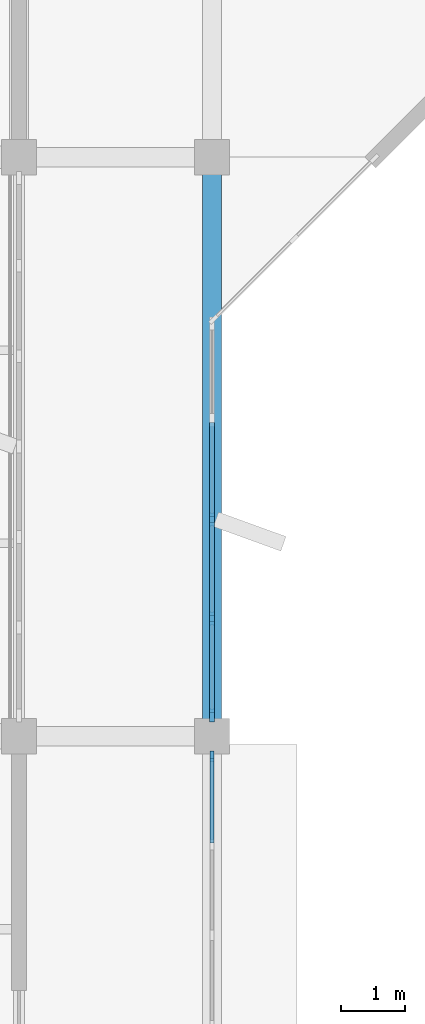
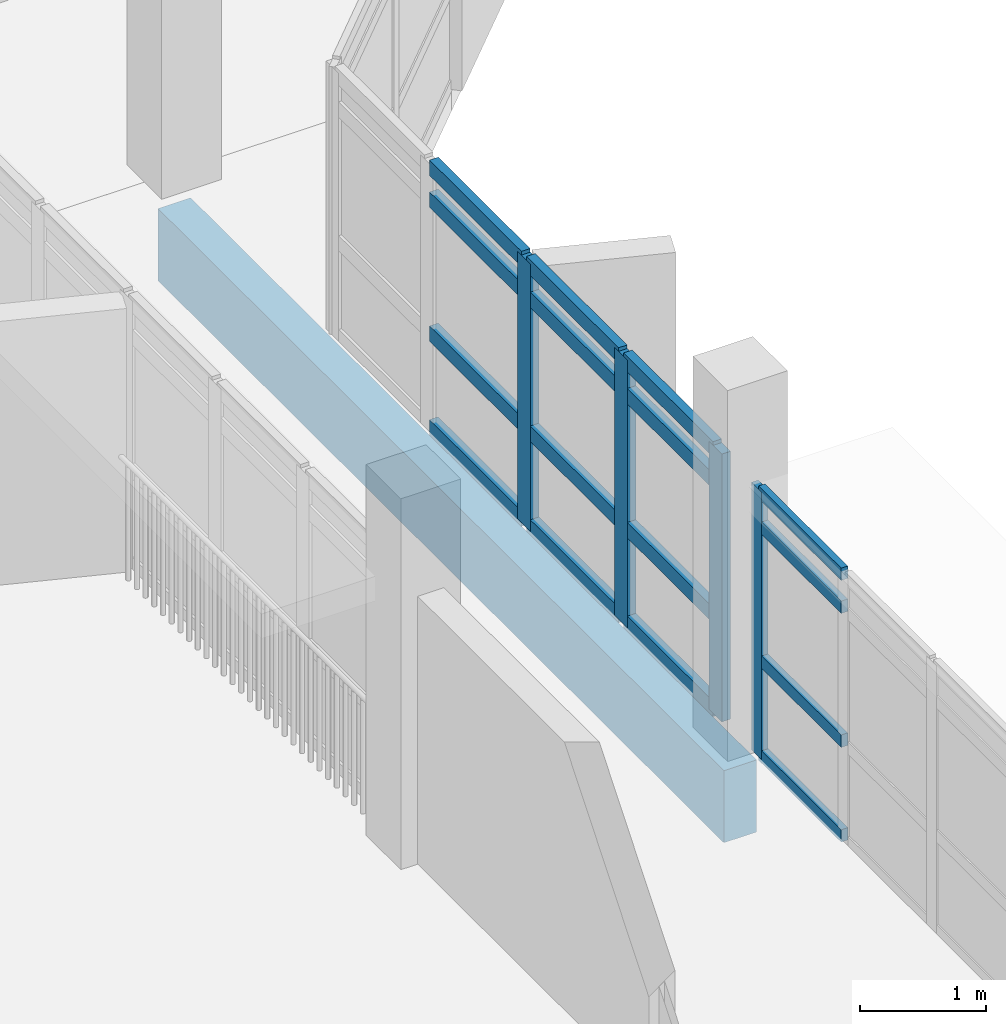
# One storey, part 14 of 92: 20 members, 1 beam, 2 elements without a shape of their own.
"""IFC4 building model written with IfcOpenShell, lengths in metres."""

from ifc_helpers import new_model, si_unit, direction, frame, origin, origin_2d, place, context, subcontext, project, spatial, rectangle, extrude, material, material_profile, profile_set, type_object, element, aggregate, save


model = new_model("IFC4")

# Units and contexts
model_context = context("Model", 3, precision=1e-05, world=origin(), true_north=direction((0.0, 1.0)))
body_context = subcontext(model_context, "Body", "Model", "MODEL_VIEW")
ifc_project = project(units=[si_unit("LENGTHUNIT", "METRE"), si_unit("AREAUNIT", "SQUARE_METRE"), si_unit("VOLUMEUNIT", "CUBIC_METRE"), si_unit("PLANEANGLEUNIT", "RADIAN"), si_unit("MASSUNIT", "GRAM", prefix="KILO")], contexts=[model_context])

# Site, building, storey
site_placement = place(None, origin())
site = spatial("IfcSite", under=ifc_project, at=site_placement, CompositionType="ELEMENT")
building_placement = place(site_placement, origin())
building = spatial("IfcBuilding", under=site, at=building_placement, Name="Vanh Quang Courtyard School", CompositionType="ELEMENT")
storey_placement = place(building_placement, frame((0.0, 0.0, 7.800048828125)))
storey = spatial("IfcBuildingStorey", under=building, at=storey_placement, Name="L02", CompositionType="ELEMENT", Elevation=7.800048828125)

# Beam
ifc_material_1 = material(Name="Concrete C35/45", Category="concrete")
ifc_material_profile_1 = material_profile(ifc_material_1, rectangle(XDim=0.300048828125, YDim=0.699951171875, at=origin_2d()), Name="RC-SP 300x700")
ifc_profile_set_1 = profile_set([ifc_material_profile_1], Name="Concrete C35/45")
beam_type = type_object("IfcBeamType", Name="BM-SP-300x700", PredefinedType="SPANDREL", material=ifc_profile_set_1)
beam_placement = place(storey_placement, frame((40.800048828125, 59.39990234375, -0.650146484375), z_axis=(0.0, 1.0, 0.0), x_axis=(-1.0, 0.0, 0.0)))
element("IfcBeam", 1, at=beam_placement, inside=storey, type_object=beam_type, Name="Beam BS-01 (L02)", PredefinedType="SPANDREL", context=body_context, shape_type="SweptSolid", body=[
    extrude(rectangle(XDim=0.300048828125, YDim=0.699951171875, at=origin_2d()), origin(), (0.0, 0.0, 1.0), 9.0),
])

# Curtain wall, member
ifc_material_2 = material(Name="Thermally broken aluminium unitised curtain wall", Category="aluminium")
curtain_wall_type_1 = type_object("IfcCurtainWallType", Name="CW-SYS-48", PredefinedType="NOTDEFINED", material=ifc_material_2)
curtain_wall_1_placement = place(storey_placement, origin())
curtain_wall_1 = element("IfcCurtainWall", 2, at=curtain_wall_1_placement, inside=storey, type_object=curtain_wall_type_1, Name="Curtain Wall CW-48 (L02)", PredefinedType="NOTDEFINED")
ifc_material_3 = material(Name="Anodised aluminium 6063-T6", Category="aluminium")
ifc_material_profile_2 = material_profile(ifc_material_3, rectangle(XDim=0.06005859375, YDim=0.159912109375, at=origin_2d()), Name="ALU-MUL 60x160")
ifc_profile_set_2 = profile_set([ifc_material_profile_2], Name="Anodised aluminium 6063-T6")
member_type_1 = type_object("IfcMemberType", Name="CW-MUL-60x160", PredefinedType="MULLION", material=ifc_profile_set_2)
member_1_placement = place(storey_placement, frame((40.800048828125, 59.0869140625, 0.0), z_axis=(0.0, 0.0, 1.0), x_axis=(1.0, 0.0, 0.0)))
member_1 = element("IfcMember", 3, at=member_1_placement, type_object=member_type_1, Name="CW-48 mullion 1", PredefinedType="MULLION", context=body_context, shape_type="SweptSolid", body=[
    extrude(rectangle(XDim=0.06005859375, YDim=0.159912109375, at=origin_2d()), origin(), (0.0, 0.0, 1.0), 2.599853515625),
])

# Curtain wall, members
curtain_wall_type_2 = type_object("IfcCurtainWallType", Name="CW-SYS-44", PredefinedType="NOTDEFINED", material=ifc_material_2)
curtain_wall_2_placement = place(storey_placement, origin())
curtain_wall_2 = element("IfcCurtainWall", 4, at=curtain_wall_2_placement, inside=storey, type_object=curtain_wall_type_2, Name="Curtain Wall CW-44 (L02)", PredefinedType="NOTDEFINED")
ifc_material_profile_3 = material_profile(ifc_material_3, rectangle(XDim=0.080078125, YDim=0.199951171875, at=origin_2d()), Name="ALU-MUL 80x200")
ifc_profile_set_3 = profile_set([ifc_material_profile_3], Name="Anodised aluminium 6063-T6")
member_type_2 = type_object("IfcMemberType", Name="CW-MUL-80x200", PredefinedType="MULLION", material=ifc_profile_set_3)
member_2_placement = place(storey_placement, frame((40.800048828125, 62.76953125, 0.0), z_axis=(0.0, 0.0, 1.0), x_axis=(1.0, 0.0, 0.0)))
member_2 = element("IfcMember", 5, at=member_2_placement, type_object=member_type_2, Name="CW-44 mullion 3", PredefinedType="MULLION", context=body_context, shape_type="SweptSolid", body=[
    extrude(rectangle(XDim=0.080078125, YDim=0.199951171875, at=origin_2d()), origin(), (0.0, 0.0, 1.0), 2.599853515625),
])
member_3_placement = place(storey_placement, frame((40.800048828125, 61.226318359375, 0.0), z_axis=(0.0, 0.0, 1.0), x_axis=(1.0, 0.0, 0.0)))
member_3 = element("IfcMember", 6, at=member_3_placement, type_object=member_type_2, Name="CW-44 mullion 4", PredefinedType="MULLION", context=body_context, shape_type="SweptSolid", body=[
    extrude(rectangle(XDim=0.080078125, YDim=0.199951171875, at=origin_2d()), origin(), (0.0, 0.0, 1.0), 2.599853515625),
])
member_4_placement = place(storey_placement, frame((40.800048828125, 59.722900390625, 0.0), z_axis=(0.0, 0.0, 1.0), x_axis=(1.0, 0.0, 0.0)))
member_4 = element("IfcMember", 7, at=member_4_placement, type_object=member_type_2, Name="CW-44 mullion 5", PredefinedType="MULLION", context=body_context, shape_type="SweptSolid", body=[
    extrude(rectangle(XDim=0.080078125, YDim=0.199951171875, at=origin_2d()), origin(), (0.0, 0.0, 1.0), 2.599853515625),
])

# Member
ifc_material_profile_4 = material_profile(ifc_material_3, rectangle(XDim=0.06005859375, YDim=0.1201171875, at=origin_2d()), Name="ALU-TRN 60x120")
ifc_profile_set_4 = profile_set([ifc_material_profile_4], Name="Anodised aluminium 6063-T6")
member_type_3 = type_object("IfcMemberType", Name="CW-TRN-60x120", PredefinedType="USERDEFINED", material=ifc_profile_set_4)
member_5_placement = place(storey_placement, frame((40.800048828125, 59.056884765625, 0.030029296875), z_axis=(0.0, -1.0, 0.0), x_axis=(1.0, 0.0, 0.0)))
member_5 = element("IfcMember", 8, at=member_5_placement, type_object=member_type_3, Name="CW-48 transom 1.1", ObjectType="TRANSOM", PredefinedType="USERDEFINED", context=body_context, shape_type="SweptSolid", body=[
    extrude(rectangle(XDim=0.06005859375, YDim=0.1201171875, at=origin_2d()), origin(), (0.0, 0.0, 1.0), 1.3154296875),
])

member_6_placement = place(storey_placement, frame((40.800048828125, 59.056884765625, 0.949951171875), z_axis=(0.0, -1.0, 0.0), x_axis=(1.0, 0.0, 0.0)))
member_6 = element("IfcMember", 9, at=member_6_placement, type_object=member_type_3, Name="CW-48 transom 1.2", ObjectType="TRANSOM", PredefinedType="USERDEFINED", context=body_context, shape_type="SweptSolid", body=[
    extrude(rectangle(XDim=0.06005859375, YDim=0.1201171875, at=origin_2d()), origin(), (0.0, 0.0, 1.0), 1.3154296875),
])

member_7_placement = place(storey_placement, frame((40.800048828125, 59.056884765625, 2.25), z_axis=(0.0, -1.0, 0.0), x_axis=(1.0, 0.0, 0.0)))
member_7 = element("IfcMember", 10, at=member_7_placement, type_object=member_type_3, Name="CW-48 transom 1.3", ObjectType="TRANSOM", PredefinedType="USERDEFINED", context=body_context, shape_type="SweptSolid", body=[
    extrude(rectangle(XDim=0.06005859375, YDim=0.1201171875, at=origin_2d()), origin(), (0.0, 0.0, 1.0), 1.3154296875),
])

member_8_placement = place(storey_placement, frame((40.800048828125, 59.056884765625, 2.570068359375), z_axis=(0.0, -1.0, 0.0), x_axis=(1.0, 0.0, 0.0)))
member_8 = element("IfcMember", 11, at=member_8_placement, type_object=member_type_3, Name="CW-48 transom 1.4", ObjectType="TRANSOM", PredefinedType="USERDEFINED", context=body_context, shape_type="SweptSolid", body=[
    extrude(rectangle(XDim=0.06005859375, YDim=0.1201171875, at=origin_2d()), origin(), (0.0, 0.0, 1.0), 1.3154296875),
])

aggregate(curtain_wall_1, [member_1, member_5, member_6, member_7, member_8])

ifc_material_profile_5 = material_profile(ifc_material_3, rectangle(XDim=0.080078125, YDim=0.14990234375, at=origin_2d()), Name="ALU-TRN 80x150")
ifc_profile_set_5 = profile_set([ifc_material_profile_5], Name="Anodised aluminium 6063-T6")
member_type_4 = type_object("IfcMemberType", Name="CW-TRN-80x150", PredefinedType="USERDEFINED", material=ifc_profile_set_5)
member_9_placement = place(storey_placement, frame((40.800048828125, 64.272705078125, 0.0400390625), z_axis=(0.0, -1.0, 0.0), x_axis=(1.0, 0.0, 0.0)))
member_9 = element("IfcMember", 12, at=member_9_placement, type_object=member_type_4, Name="CW-44 transom 2.1", ObjectType="TRANSOM", PredefinedType="USERDEFINED", context=body_context, shape_type="SweptSolid", body=[
    extrude(rectangle(XDim=0.080078125, YDim=0.14990234375, at=origin_2d()), origin(), (0.0, 0.0, 1.0), 1.463134765625),
])

member_10_placement = place(storey_placement, frame((40.800048828125, 64.272705078125, 0.949951171875), z_axis=(0.0, -1.0, 0.0), x_axis=(1.0, 0.0, 0.0)))
member_10 = element("IfcMember", 13, at=member_10_placement, type_object=member_type_4, Name="CW-44 transom 2.2", ObjectType="TRANSOM", PredefinedType="USERDEFINED", context=body_context, shape_type="SweptSolid", body=[
    extrude(rectangle(XDim=0.080078125, YDim=0.14990234375, at=origin_2d()), origin(), (0.0, 0.0, 1.0), 1.463134765625),
])

member_11_placement = place(storey_placement, frame((40.800048828125, 64.272705078125, 2.25), z_axis=(0.0, -1.0, 0.0), x_axis=(1.0, 0.0, 0.0)))
member_11 = element("IfcMember", 14, at=member_11_placement, type_object=member_type_4, Name="CW-44 transom 2.3", ObjectType="TRANSOM", PredefinedType="USERDEFINED", context=body_context, shape_type="SweptSolid", body=[
    extrude(rectangle(XDim=0.080078125, YDim=0.14990234375, at=origin_2d()), origin(), (0.0, 0.0, 1.0), 1.463134765625),
])

member_12_placement = place(storey_placement, frame((40.800048828125, 64.272705078125, 2.56005859375), z_axis=(0.0, -1.0, 0.0), x_axis=(1.0, 0.0, 0.0)))
member_12 = element("IfcMember", 15, at=member_12_placement, type_object=member_type_4, Name="CW-44 transom 2.4", ObjectType="TRANSOM", PredefinedType="USERDEFINED", context=body_context, shape_type="SweptSolid", body=[
    extrude(rectangle(XDim=0.080078125, YDim=0.14990234375, at=origin_2d()), origin(), (0.0, 0.0, 1.0), 1.463134765625),
])

member_13_placement = place(storey_placement, frame((40.800048828125, 62.7294921875, 0.0400390625), z_axis=(0.0, -1.0, 0.0), x_axis=(1.0, 0.0, 0.0)))
member_13 = element("IfcMember", 16, at=member_13_placement, type_object=member_type_4, Name="CW-44 transom 3.1", ObjectType="TRANSOM", PredefinedType="USERDEFINED", context=body_context, shape_type="SweptSolid", body=[
    extrude(rectangle(XDim=0.080078125, YDim=0.14990234375, at=origin_2d()), origin(), (0.0, 0.0, 1.0), 1.463134765625),
])

member_14_placement = place(storey_placement, frame((40.800048828125, 62.7294921875, 0.949951171875), z_axis=(0.0, -1.0, 0.0), x_axis=(1.0, 0.0, 0.0)))
member_14 = element("IfcMember", 17, at=member_14_placement, type_object=member_type_4, Name="CW-44 transom 3.2", ObjectType="TRANSOM", PredefinedType="USERDEFINED", context=body_context, shape_type="SweptSolid", body=[
    extrude(rectangle(XDim=0.080078125, YDim=0.14990234375, at=origin_2d()), origin(), (0.0, 0.0, 1.0), 1.463134765625),
])

member_15_placement = place(storey_placement, frame((40.800048828125, 62.7294921875, 2.25), z_axis=(0.0, -1.0, 0.0), x_axis=(1.0, 0.0, 0.0)))
member_15 = element("IfcMember", 18, at=member_15_placement, type_object=member_type_4, Name="CW-44 transom 3.3", ObjectType="TRANSOM", PredefinedType="USERDEFINED", context=body_context, shape_type="SweptSolid", body=[
    extrude(rectangle(XDim=0.080078125, YDim=0.14990234375, at=origin_2d()), origin(), (0.0, 0.0, 1.0), 1.463134765625),
])

member_16_placement = place(storey_placement, frame((40.800048828125, 62.7294921875, 2.56005859375), z_axis=(0.0, -1.0, 0.0), x_axis=(1.0, 0.0, 0.0)))
member_16 = element("IfcMember", 19, at=member_16_placement, type_object=member_type_4, Name="CW-44 transom 3.4", ObjectType="TRANSOM", PredefinedType="USERDEFINED", context=body_context, shape_type="SweptSolid", body=[
    extrude(rectangle(XDim=0.080078125, YDim=0.14990234375, at=origin_2d()), origin(), (0.0, 0.0, 1.0), 1.463134765625),
])

member_17_placement = place(storey_placement, frame((40.800048828125, 61.186279296875, 0.0400390625), z_axis=(0.0, -1.0, 0.0), x_axis=(1.0, 0.0, 0.0)))
member_17 = element("IfcMember", 20, at=member_17_placement, type_object=member_type_4, Name="CW-44 transom 4.1", ObjectType="TRANSOM", PredefinedType="USERDEFINED", context=body_context, shape_type="SweptSolid", body=[
    extrude(rectangle(XDim=0.080078125, YDim=0.14990234375, at=origin_2d()), origin(), (0.0, 0.0, 1.0), 1.42333984375),
])

member_18_placement = place(storey_placement, frame((40.800048828125, 61.186279296875, 0.949951171875), z_axis=(0.0, -1.0, 0.0), x_axis=(1.0, 0.0, 0.0)))
member_18 = element("IfcMember", 21, at=member_18_placement, type_object=member_type_4, Name="CW-44 transom 4.2", ObjectType="TRANSOM", PredefinedType="USERDEFINED", context=body_context, shape_type="SweptSolid", body=[
    extrude(rectangle(XDim=0.080078125, YDim=0.14990234375, at=origin_2d()), origin(), (0.0, 0.0, 1.0), 1.42333984375),
])

member_19_placement = place(storey_placement, frame((40.800048828125, 61.186279296875, 2.25), z_axis=(0.0, -1.0, 0.0), x_axis=(1.0, 0.0, 0.0)))
member_19 = element("IfcMember", 22, at=member_19_placement, type_object=member_type_4, Name="CW-44 transom 4.3", ObjectType="TRANSOM", PredefinedType="USERDEFINED", context=body_context, shape_type="SweptSolid", body=[
    extrude(rectangle(XDim=0.080078125, YDim=0.14990234375, at=origin_2d()), origin(), (0.0, 0.0, 1.0), 1.42333984375),
])

member_20_placement = place(storey_placement, frame((40.800048828125, 61.186279296875, 2.56005859375), z_axis=(0.0, -1.0, 0.0), x_axis=(1.0, 0.0, 0.0)))
member_20 = element("IfcMember", 23, at=member_20_placement, type_object=member_type_4, Name="CW-44 transom 4.4", ObjectType="TRANSOM", PredefinedType="USERDEFINED", context=body_context, shape_type="SweptSolid", body=[
    extrude(rectangle(XDim=0.080078125, YDim=0.14990234375, at=origin_2d()), origin(), (0.0, 0.0, 1.0), 1.42333984375),
])

aggregate(curtain_wall_2, [member_2, member_3, member_4, member_9, member_10, member_11, member_12, member_13, member_14, member_15, member_16, member_17, member_18, member_19, member_20])

save(model, "model.ifc")
